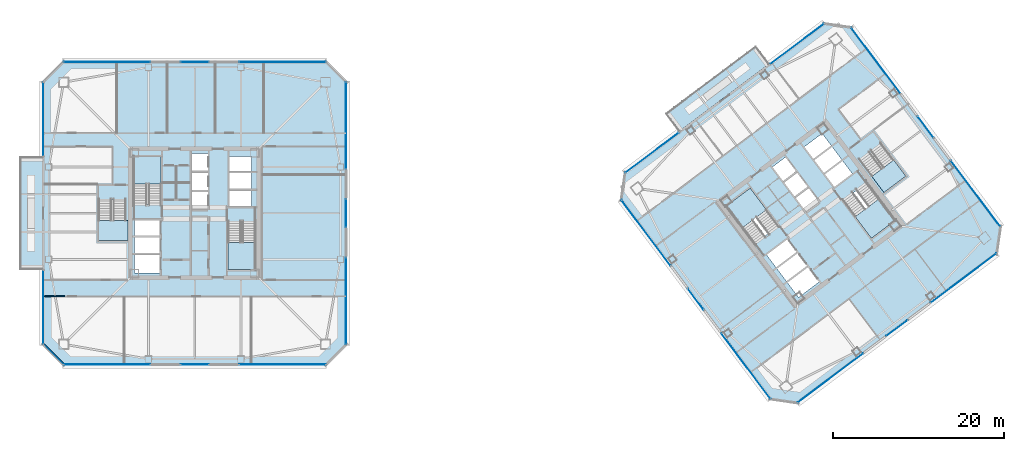
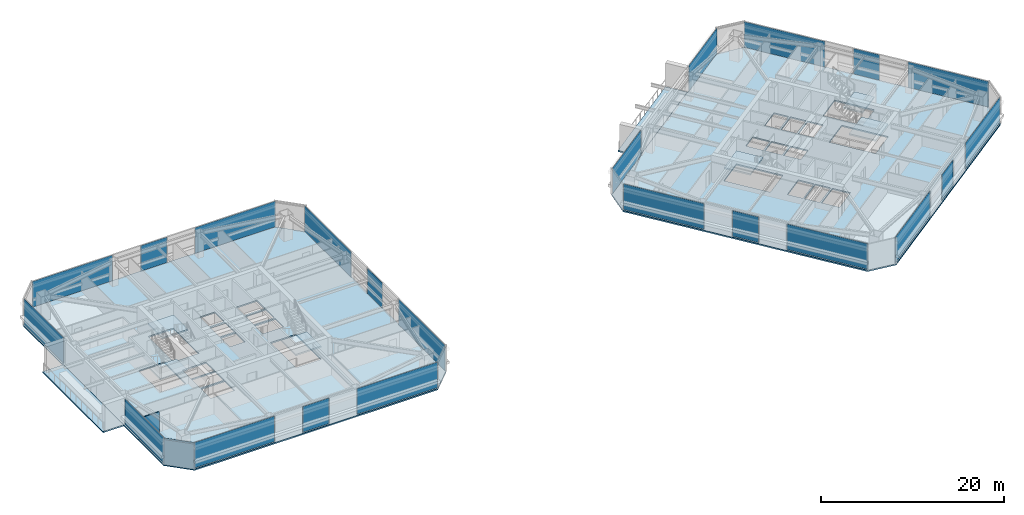
# One storey, part 31 of 43: 22 plates, 10 slabs, 2 walls, 28 elements without a shape of their own.
"""IFC4 building model written with IfcOpenShell, lengths in metres."""

from ifc_helpers import new_model, si_unit, direction, frame, frame_2d, origin, origin_2d, place, context, subcontext, project, spatial, polyline, rectangle, outline, extrude, material, layer, layer_set, type_object, element, aggregate, save


model = new_model("IFC4")

# Units and contexts
model_context = context("Model", 3, precision=1e-05, world=origin(), true_north=direction((0.0, 1.0)))
body_context = subcontext(model_context, "Body", "Model", "MODEL_VIEW")
ifc_project = project(units=[si_unit("LENGTHUNIT", "METRE"), si_unit("AREAUNIT", "SQUARE_METRE"), si_unit("VOLUMEUNIT", "CUBIC_METRE"), si_unit("PLANEANGLEUNIT", "RADIAN"), si_unit("MASSUNIT", "GRAM", prefix="KILO")], contexts=[model_context])

# Site, building, storey
site_placement = place(None, origin())
site = spatial("IfcSite", under=ifc_project, at=site_placement, CompositionType="ELEMENT")
building_placement = place(site_placement, origin())
building = spatial("IfcBuilding", under=site, at=building_placement, Name="Tashvorn Skyway Center", CompositionType="ELEMENT")
storey_placement = place(building_placement, frame((0.0, 0.0, 188.949951171875)))
storey = spatial("IfcBuildingStorey", under=building, at=storey_placement, Name="L51", CompositionType="ELEMENT", Elevation=188.949951171875)

# Curtain wall, plate
ifc_material_1 = material(Name="Thermally broken bronze-anodized aluminium 6063-T6", Category="aluminium")
curtain_wall_type = type_object("IfcCurtainWallType", Name="CW-CW-Z4", PredefinedType="NOTDEFINED", material=ifc_material_1)
curtain_wall_1_placement = place(storey_placement, origin())
curtain_wall_1 = element("IfcCurtainWall", 1, at=curtain_wall_1_placement, inside=storey, type_object=curtain_wall_type, Name="Tower 1 L51 South Unitised Curtain Wall Glazing Group 1", PredefinedType="NOTDEFINED")
ifc_material_2 = material(Name="Low-E solar-control double insulating safety glass", Category="glass")
ifc_layer_1 = layer(ifc_material_2, 0.035888671875)
ifc_layer_set_1 = layer_set([ifc_layer_1], Name="Low-E solar-control double insulating safety glass")
plate_type = type_object("IfcPlateType", Name="CWP-CW-Z4", PredefinedType="CURTAIN_PANEL", material=ifc_layer_set_1)
plate_1_placement = place(storey_placement, frame((52.25341796875, 14.320068359375, 0.0703125), z_axis=(0.0, 0.0, 1.0), x_axis=(-1.0, 0.0, 0.0)))
plate_1 = element("IfcPlate", 2, at=plate_1_placement, type_object=plate_type, Name="CW-Z4 panel 1.1", PredefinedType="CURTAIN_PANEL", context=body_context, shape_type="SweptSolid", body=[
    extrude(rectangle(XDim=10.11328125, YDim=0.035888671875, at=origin_2d()), origin(), (0.0, 0.0, 1.0), 3.409912109375),
])
aggregate(curtain_wall_1, [plate_1])

curtain_wall_2_placement = place(storey_placement, origin())
curtain_wall_2 = element("IfcCurtainWall", 3, at=curtain_wall_2_placement, inside=storey, type_object=curtain_wall_type, Name="Tower 1 L51 South Unitised Curtain Wall Glazing Group 2", PredefinedType="NOTDEFINED")
plate_2_placement = place(storey_placement, frame((42.0, 14.320068359375, 0.0703125), z_axis=(0.0, 0.0, 1.0), x_axis=(-1.0, 0.0, 0.0)))
plate_2 = element("IfcPlate", 4, at=plate_2_placement, type_object=plate_type, Name="CW-Z4 panel 1.1", PredefinedType="CURTAIN_PANEL", context=body_context, shape_type="SweptSolid", body=[
    extrude(rectangle(XDim=3.27783203125, YDim=0.035888671875, at=origin_2d()), origin(), (0.0, 0.0, 1.0), 3.409912109375),
])
aggregate(curtain_wall_2, [plate_2])

curtain_wall_3_placement = place(storey_placement, origin())
curtain_wall_3 = element("IfcCurtainWall", 5, at=curtain_wall_3_placement, inside=storey, type_object=curtain_wall_type, Name="Tower 1 L51 South Unitised Curtain Wall Glazing Group 3", PredefinedType="NOTDEFINED")
plate_3_placement = place(storey_placement, frame((31.74658203125, 14.320068359375, 0.0703125), z_axis=(0.0, 0.0, 1.0), x_axis=(-1.0, 0.0, 0.0)))
plate_3 = element("IfcPlate", 6, at=plate_3_placement, type_object=plate_type, Name="CW-Z4 panel 1.1", PredefinedType="CURTAIN_PANEL", context=body_context, shape_type="SweptSolid", body=[
    extrude(rectangle(XDim=10.11328125, YDim=0.035888671875, at=origin_2d()), origin(), (0.0, 0.0, 1.0), 3.409912109375),
])
aggregate(curtain_wall_3, [plate_3])

curtain_wall_4_placement = place(storey_placement, origin())
curtain_wall_4 = element("IfcCurtainWall", 7, at=curtain_wall_4_placement, inside=storey, type_object=curtain_wall_type, Name="Tower 1 L51 West Curtain Wall L", PredefinedType="NOTDEFINED")
plate_4_placement = place(storey_placement, frame((24.320068359375, 21.010009765625, 0.0703125), z_axis=(0.0, 0.0, 1.0), x_axis=(0.0, 1.0, 0.0)))
plate_4 = element("IfcPlate", 8, at=plate_4_placement, type_object=plate_type, Name="CW-Z4 panel 1.1", PredefinedType="CURTAIN_PANEL", context=body_context, shape_type="SweptSolid", body=[
    extrude(rectangle(XDim=8.639892578125, YDim=0.035888671875, at=origin_2d()), origin(), (0.0, 0.0, 1.0), 3.409912109375),
])
aggregate(curtain_wall_4, [plate_4])

curtain_wall_5_placement = place(storey_placement, origin())
curtain_wall_5 = element("IfcCurtainWall", 9, at=curtain_wall_5_placement, inside=storey, type_object=curtain_wall_type, Name="Tower 1 L51 West Curtain Wall R", PredefinedType="NOTDEFINED")
plate_5_placement = place(storey_placement, frame((24.320068359375, 42.989990234375, 0.0703125), z_axis=(0.0, 0.0, 1.0), x_axis=(0.0, 1.0, 0.0)))
plate_5 = element("IfcPlate", 10, at=plate_5_placement, type_object=plate_type, Name="CW-Z4 panel 1.1", PredefinedType="CURTAIN_PANEL", context=body_context, shape_type="SweptSolid", body=[
    extrude(rectangle(XDim=8.639892578125, YDim=0.035888671875, at=origin_2d()), origin(), (0.0, 0.0, 1.0), 3.409912109375),
])
aggregate(curtain_wall_5, [plate_5])

curtain_wall_6_placement = place(storey_placement, origin())
curtain_wall_6 = element("IfcCurtainWall", 11, at=curtain_wall_6_placement, inside=storey, type_object=curtain_wall_type, Name="Tower 1 L51 North Unitised Curtain Wall Glazing Group 1", PredefinedType="NOTDEFINED")
plate_6_placement = place(storey_placement, frame((31.74658203125, 49.679931640625, 0.0703125), z_axis=(0.0, 0.0, 1.0), x_axis=(1.0, 0.0, 0.0)))
plate_6 = element("IfcPlate", 12, at=plate_6_placement, type_object=plate_type, Name="CW-Z4 panel 1.1", PredefinedType="CURTAIN_PANEL", context=body_context, shape_type="SweptSolid", body=[
    extrude(rectangle(XDim=10.11328125, YDim=0.035888671875, at=origin_2d()), origin(), (0.0, 0.0, 1.0), 3.409912109375),
])
aggregate(curtain_wall_6, [plate_6])

curtain_wall_7_placement = place(storey_placement, origin())
curtain_wall_7 = element("IfcCurtainWall", 13, at=curtain_wall_7_placement, inside=storey, type_object=curtain_wall_type, Name="Tower 1 L51 North Unitised Curtain Wall Glazing Group 2", PredefinedType="NOTDEFINED")
plate_7_placement = place(storey_placement, frame((42.0, 49.679931640625, 0.0703125), z_axis=(0.0, 0.0, 1.0), x_axis=(1.0, 0.0, 0.0)))
plate_7 = element("IfcPlate", 14, at=plate_7_placement, type_object=plate_type, Name="CW-Z4 panel 1.1", PredefinedType="CURTAIN_PANEL", context=body_context, shape_type="SweptSolid", body=[
    extrude(rectangle(XDim=3.27783203125, YDim=0.035888671875, at=origin_2d()), origin(), (0.0, 0.0, 1.0), 3.409912109375),
])
aggregate(curtain_wall_7, [plate_7])

curtain_wall_8_placement = place(storey_placement, origin())
curtain_wall_8 = element("IfcCurtainWall", 15, at=curtain_wall_8_placement, inside=storey, type_object=curtain_wall_type, Name="Tower 1 L51 North Unitised Curtain Wall Glazing Group 3", PredefinedType="NOTDEFINED")
plate_8_placement = place(storey_placement, frame((52.25341796875, 49.679931640625, 0.0703125), z_axis=(0.0, 0.0, 1.0), x_axis=(1.0, 0.0, 0.0)))
plate_8 = element("IfcPlate", 16, at=plate_8_placement, type_object=plate_type, Name="CW-Z4 panel 1.1", PredefinedType="CURTAIN_PANEL", context=body_context, shape_type="SweptSolid", body=[
    extrude(rectangle(XDim=10.11328125, YDim=0.035888671875, at=origin_2d()), origin(), (0.0, 0.0, 1.0), 3.409912109375),
])
aggregate(curtain_wall_8, [plate_8])

curtain_wall_9_placement = place(storey_placement, origin())
curtain_wall_9 = element("IfcCurtainWall", 17, at=curtain_wall_9_placement, inside=storey, type_object=curtain_wall_type, Name="Tower 1 L51 East Unitised Curtain Wall Glazing Group 1", PredefinedType="NOTDEFINED")
plate_9_placement = place(storey_placement, frame((59.679931640625, 42.25341796875, 0.0703125), z_axis=(0.0, 0.0, 1.0), x_axis=(0.0, -1.0, 0.0)))
plate_9 = element("IfcPlate", 18, at=plate_9_placement, type_object=plate_type, Name="CW-Z4 panel 1.1", PredefinedType="CURTAIN_PANEL", context=body_context, shape_type="SweptSolid", body=[
    extrude(rectangle(XDim=10.11328125, YDim=0.035888671875, at=origin_2d()), origin(), (0.0, 0.0, 1.0), 3.409912109375),
])
aggregate(curtain_wall_9, [plate_9])

curtain_wall_10_placement = place(storey_placement, origin())
curtain_wall_10 = element("IfcCurtainWall", 19, at=curtain_wall_10_placement, inside=storey, type_object=curtain_wall_type, Name="Tower 1 L51 East Unitised Curtain Wall Glazing Group 2", PredefinedType="NOTDEFINED")
plate_10_placement = place(storey_placement, frame((59.679931640625, 32.0, 0.0703125), z_axis=(0.0, 0.0, 1.0), x_axis=(0.0, -1.0, 0.0)))
plate_10 = element("IfcPlate", 20, at=plate_10_placement, type_object=plate_type, Name="CW-Z4 panel 1.1", PredefinedType="CURTAIN_PANEL", context=body_context, shape_type="SweptSolid", body=[
    extrude(rectangle(XDim=3.27783203125, YDim=0.035888671875, at=origin_2d()), origin(), (0.0, 0.0, 1.0), 3.409912109375),
])
aggregate(curtain_wall_10, [plate_10])

curtain_wall_11_placement = place(storey_placement, origin())
curtain_wall_11 = element("IfcCurtainWall", 21, at=curtain_wall_11_placement, inside=storey, type_object=curtain_wall_type, Name="Tower 1 L51 East Unitised Curtain Wall Glazing Group 3", PredefinedType="NOTDEFINED")
plate_11_placement = place(storey_placement, frame((59.679931640625, 21.74658203125, 0.0703125), z_axis=(0.0, 0.0, 1.0), x_axis=(0.0, -1.0, 0.0)))
plate_11 = element("IfcPlate", 22, at=plate_11_placement, type_object=plate_type, Name="CW-Z4 panel 1.1", PredefinedType="CURTAIN_PANEL", context=body_context, shape_type="SweptSolid", body=[
    extrude(rectangle(XDim=10.11328125, YDim=0.035888671875, at=origin_2d()), origin(), (0.0, 0.0, 1.0), 3.409912109375),
])
aggregate(curtain_wall_11, [plate_11])

curtain_wall_12_placement = place(storey_placement, origin())
curtain_wall_12 = element("IfcCurtainWall", 23, at=curtain_wall_12_placement, inside=storey, type_object=curtain_wall_type, Name="Tower 2 L51 South Unitised Curtain Wall Glazing Group 1", PredefinedType="NOTDEFINED")
plate_12_placement = place(storey_placement, frame((131.843994140625, 24.407958984375, 0.0703125), z_axis=(0.0, 0.0, 1.0), x_axis=(-0.799999999998, -0.600000000002, 0.0)))
plate_12 = element("IfcPlate", 24, at=plate_12_placement, type_object=plate_type, Name="CW-Z4 panel 1.1", PredefinedType="CURTAIN_PANEL", context=body_context, shape_type="SweptSolid", body=[
    extrude(rectangle(XDim=9.580078125, YDim=0.035888671875, at=origin_2d()), origin(), (0.0, 0.0, 1.0), 3.409912109375),
])
aggregate(curtain_wall_12, [plate_12])

curtain_wall_13_placement = place(storey_placement, origin())
curtain_wall_13 = element("IfcCurtainWall", 25, at=curtain_wall_13_placement, inside=storey, type_object=curtain_wall_type, Name="Tower 2 L51 South Unitised Curtain Wall Glazing Group 2", PredefinedType="NOTDEFINED")
plate_13_placement = place(storey_placement, frame((124.068115234375, 18.575927734375, 0.0703125), z_axis=(0.0, 0.0, 1.0), x_axis=(-0.799999999998, -0.600000000002, 0.0)))
plate_13 = element("IfcPlate", 26, at=plate_13_placement, type_object=plate_type, Name="CW-Z4 panel 1.1", PredefinedType="CURTAIN_PANEL", context=body_context, shape_type="SweptSolid", body=[
    extrude(rectangle(XDim=3.10009765625, YDim=0.035888671875, at=origin_2d()), origin(), (0.0, 0.0, 1.0), 3.409912109375),
])
aggregate(curtain_wall_13, [plate_13])

curtain_wall_14_placement = place(storey_placement, origin())
curtain_wall_14 = element("IfcCurtainWall", 27, at=curtain_wall_14_placement, inside=storey, type_object=curtain_wall_type, Name="Tower 2 L51 South Unitised Curtain Wall Glazing Group 3", PredefinedType="NOTDEFINED")
plate_14_placement = place(storey_placement, frame((116.2919921875, 12.743896484375, 0.0703125), z_axis=(0.0, 0.0, 1.0), x_axis=(-0.799999999998, -0.600000000002, 0.0)))
plate_14 = element("IfcPlate", 28, at=plate_14_placement, type_object=plate_type, Name="CW-Z4 panel 1.1", PredefinedType="CURTAIN_PANEL", context=body_context, shape_type="SweptSolid", body=[
    extrude(rectangle(XDim=9.580078125, YDim=0.035888671875, at=origin_2d()), origin(), (0.0, 0.0, 1.0), 3.409912109375),
])
aggregate(curtain_wall_14, [plate_14])

curtain_wall_15_placement = place(storey_placement, origin())
curtain_wall_15 = element("IfcCurtainWall", 29, at=curtain_wall_15_placement, inside=storey, type_object=curtain_wall_type, Name="Tower 2 L51 West Unitised Curtain Wall Glazing Group 1", PredefinedType="NOTDEFINED")
plate_15_placement = place(storey_placement, frame((106.407958984375, 14.156005859375, 0.0703125), z_axis=(0.0, 0.0, 1.0), x_axis=(-0.600000000002, 0.799999999998, 0.0)))
plate_15 = element("IfcPlate", 30, at=plate_15_placement, type_object=plate_type, Name="CW-Z4 panel 1.1", PredefinedType="CURTAIN_PANEL", context=body_context, shape_type="SweptSolid", body=[
    extrude(rectangle(XDim=9.580078125, YDim=0.035888671875, at=origin_2d()), origin(), (0.0, 0.0, 1.0), 3.409912109375),
])
aggregate(curtain_wall_15, [plate_15])

curtain_wall_16_placement = place(storey_placement, origin())
curtain_wall_16 = element("IfcCurtainWall", 31, at=curtain_wall_16_placement, inside=storey, type_object=curtain_wall_type, Name="Tower 2 L51 West Unitised Curtain Wall Glazing Group 2", PredefinedType="NOTDEFINED")
plate_16_placement = place(storey_placement, frame((100.575927734375, 21.931884765625, 0.0703125), z_axis=(0.0, 0.0, 1.0), x_axis=(-0.600000000002, 0.799999999998, 0.0)))
plate_16 = element("IfcPlate", 32, at=plate_16_placement, type_object=plate_type, Name="CW-Z4 panel 1.1", PredefinedType="CURTAIN_PANEL", context=body_context, shape_type="SweptSolid", body=[
    extrude(rectangle(XDim=3.10009765625, YDim=0.035888671875, at=origin_2d()), origin(), (0.0, 0.0, 1.0), 3.409912109375),
])
aggregate(curtain_wall_16, [plate_16])

curtain_wall_17_placement = place(storey_placement, origin())
curtain_wall_17 = element("IfcCurtainWall", 33, at=curtain_wall_17_placement, inside=storey, type_object=curtain_wall_type, Name="Tower 2 L51 West Unitised Curtain Wall Glazing Group 3", PredefinedType="NOTDEFINED")
plate_17_placement = place(storey_placement, frame((94.743896484375, 29.7080078125, 0.0703125), z_axis=(0.0, 0.0, 1.0), x_axis=(-0.600000000002, 0.799999999998, 0.0)))
plate_17 = element("IfcPlate", 34, at=plate_17_placement, type_object=plate_type, Name="CW-Z4 panel 1.1", PredefinedType="CURTAIN_PANEL", context=body_context, shape_type="SweptSolid", body=[
    extrude(rectangle(XDim=9.580078125, YDim=0.035888671875, at=origin_2d()), origin(), (0.0, 0.0, 1.0), 3.409912109375),
])
aggregate(curtain_wall_17, [plate_17])

curtain_wall_18_placement = place(storey_placement, origin())
curtain_wall_18 = element("IfcCurtainWall", 35, at=curtain_wall_18_placement, inside=storey, type_object=curtain_wall_type, Name="Tower 2 L51 North Curtain Wall L", PredefinedType="NOTDEFINED")
plate_18_placement = place(storey_placement, frame((95.4599609375, 39.070068359375, 0.0703125), z_axis=(0.0, 0.0, 1.0), x_axis=(0.799999999998, 0.600000000002, 0.0)))
plate_18 = element("IfcPlate", 36, at=plate_18_placement, type_object=plate_type, Name="CW-Z4 panel 1.1", PredefinedType="CURTAIN_PANEL", context=body_context, shape_type="SweptSolid", body=[
    extrude(rectangle(XDim=7.840087890625, YDim=0.035888671875, at=origin_2d()), origin(), (0.0, 0.0, 1.0), 3.409912109375),
])
aggregate(curtain_wall_18, [plate_18])

curtain_wall_19_placement = place(storey_placement, origin())
curtain_wall_19 = element("IfcCurtainWall", 37, at=curtain_wall_19_placement, inside=storey, type_object=curtain_wall_type, Name="Tower 2 L51 North Curtain Wall R", PredefinedType="NOTDEFINED")
plate_19_placement = place(storey_placement, frame((112.404052734375, 51.778076171875, 0.0703125), z_axis=(0.0, 0.0, 1.0), x_axis=(0.799999999998, 0.600000000002, 0.0)))
plate_19 = element("IfcPlate", 38, at=plate_19_placement, type_object=plate_type, Name="CW-Z4 panel 1.1", PredefinedType="CURTAIN_PANEL", context=body_context, shape_type="SweptSolid", body=[
    extrude(rectangle(XDim=7.840087890625, YDim=0.035888671875, at=origin_2d()), origin(), (0.0, 0.0, 1.0), 3.409912109375),
])
aggregate(curtain_wall_19, [plate_19])

curtain_wall_20_placement = place(storey_placement, origin())
curtain_wall_20 = element("IfcCurtainWall", 39, at=curtain_wall_20_placement, inside=storey, type_object=curtain_wall_type, Name="Tower 2 L51 East Unitised Curtain Wall Glazing Group 1", PredefinedType="NOTDEFINED")
plate_20_placement = place(storey_placement, frame((121.592041015625, 49.843994140625, 0.0703125), z_axis=(0.0, 0.0, 1.0), x_axis=(0.600000000002, -0.799999999998, 0.0)))
plate_20 = element("IfcPlate", 40, at=plate_20_placement, type_object=plate_type, Name="CW-Z4 panel 1.1", PredefinedType="CURTAIN_PANEL", context=body_context, shape_type="SweptSolid", body=[
    extrude(rectangle(XDim=9.580078125, YDim=0.035888671875, at=origin_2d()), origin(), (0.0, 0.0, 1.0), 3.409912109375),
])
aggregate(curtain_wall_20, [plate_20])

curtain_wall_21_placement = place(storey_placement, origin())
curtain_wall_21 = element("IfcCurtainWall", 41, at=curtain_wall_21_placement, inside=storey, type_object=curtain_wall_type, Name="Tower 2 L51 East Unitised Curtain Wall Glazing Group 2", PredefinedType="NOTDEFINED")
plate_21_placement = place(storey_placement, frame((127.424072265625, 42.068115234375, 0.0703125), z_axis=(0.0, 0.0, 1.0), x_axis=(0.600000000002, -0.799999999998, 0.0)))
plate_21 = element("IfcPlate", 42, at=plate_21_placement, type_object=plate_type, Name="CW-Z4 panel 1.1", PredefinedType="CURTAIN_PANEL", context=body_context, shape_type="SweptSolid", body=[
    extrude(rectangle(XDim=3.10009765625, YDim=0.035888671875, at=origin_2d()), origin(), (0.0, 0.0, 1.0), 3.409912109375),
])
aggregate(curtain_wall_21, [plate_21])

curtain_wall_22_placement = place(storey_placement, origin())
curtain_wall_22 = element("IfcCurtainWall", 43, at=curtain_wall_22_placement, inside=storey, type_object=curtain_wall_type, Name="Tower 2 L51 East Unitised Curtain Wall Glazing Group 3", PredefinedType="NOTDEFINED")
plate_22_placement = place(storey_placement, frame((133.256103515625, 34.2919921875, 0.0703125), z_axis=(0.0, 0.0, 1.0), x_axis=(0.600000000002, -0.799999999998, 0.0)))
plate_22 = element("IfcPlate", 44, at=plate_22_placement, type_object=plate_type, Name="CW-Z4 panel 1.1", PredefinedType="CURTAIN_PANEL", context=body_context, shape_type="SweptSolid", body=[
    extrude(rectangle(XDim=9.580078125, YDim=0.035888671875, at=origin_2d()), origin(), (0.0, 0.0, 1.0), 3.409912109375),
])
aggregate(curtain_wall_22, [plate_22])

# Slabs
ifc_material_3 = material(Name="Concrete C40/50", Category="concrete")
ifc_layer_2 = layer(ifc_material_3, 0.179931640625)
ifc_layer_set_2 = layer_set([ifc_layer_2], Name="Concrete C40/50")
slab_type_1 = type_object("IfcSlabType", Name="SLAB-FLR-180", PredefinedType="FLOOR", material=ifc_layer_set_2)
slab_1_placement = place(storey_placement, frame((0.0, 0.0, -0.179931640625)))
element("IfcSlab", 45, at=slab_1_placement, inside=storey, type_object=slab_type_1, Name="Tower 1 L51 Composite Floor Slab", PredefinedType="FLOOR", context=body_context, shape_type="SweptSolid", body=[
    extrude(outline(polyline([(26.699951171875, 14.199951171875), (57.300048828125, 14.199951171875), (59.800048828125, 16.699951171875), (59.800048828125, 47.300048828125), (57.300048828125, 49.800048828125), (26.699951171875, 49.800048828125), (24.199951171875, 47.300048828125), (24.199951171875, 16.699951171875), (26.699951171875, 14.199951171875)]), holes=[polyline([(38.10009765625, 33.080078125), (38.10009765625, 38.60009765625), (34.89990234375, 38.60009765625), (34.89990234375, 33.080078125), (38.10009765625, 33.080078125)]), polyline([(45.89990234375, 30.919921875), (45.89990234375, 25.39990234375), (49.10009765625, 25.39990234375), (49.10009765625, 30.919921875), (45.89990234375, 30.919921875)]), polyline([(30.800048828125, 33.52001953125), (30.800048828125, 28.800048828125), (34.0, 28.800048828125), (34.0, 33.52001953125), (30.800048828125, 33.52001953125)]), polyline([(34.949951171875, 29.35009765625), (37.949951171875, 29.35009765625), (37.949951171875, 31.199951171875), (34.949951171875, 31.199951171875), (34.949951171875, 29.35009765625)]), polyline([(34.949951171875, 27.35009765625), (37.949951171875, 27.35009765625), (37.949951171875, 29.199951171875), (34.949951171875, 29.199951171875), (34.949951171875, 27.35009765625)]), polyline([(34.949951171875, 25.0), (37.949951171875, 25.0), (37.949951171875, 27.14990234375), (34.949951171875, 27.14990234375), (34.949951171875, 25.0)]), polyline([(41.64990234375, 32.449951171875), (43.550048828125, 32.449951171875), (43.550048828125, 34.5), (41.64990234375, 34.5), (41.64990234375, 32.449951171875)]), polyline([(41.64990234375, 34.699951171875), (43.550048828125, 34.699951171875), (43.550048828125, 36.75), (41.64990234375, 36.75), (41.64990234375, 34.699951171875)]), polyline([(41.64990234375, 36.949951171875), (43.550048828125, 36.949951171875), (43.550048828125, 39.0), (41.64990234375, 39.0), (41.64990234375, 36.949951171875)]), polyline([(46.050048828125, 32.800048828125), (48.64990234375, 32.800048828125), (48.64990234375, 34.64990234375), (46.050048828125, 34.64990234375), (46.050048828125, 32.800048828125)]), polyline([(46.050048828125, 34.85009765625), (48.64990234375, 34.85009765625), (48.64990234375, 36.699951171875), (46.050048828125, 36.699951171875), (46.050048828125, 34.85009765625)]), polyline([(46.050048828125, 36.89990234375), (48.64990234375, 36.89990234375), (48.64990234375, 38.64990234375), (46.050048828125, 38.64990234375), (46.050048828125, 36.89990234375)])]), origin(), (0.0, 0.0, 1.0), 0.179931640625),
])
slab_2_placement = place(storey_placement, frame((0.0, 0.0, -0.179931640625)))
element("IfcSlab", 46, at=slab_2_placement, inside=storey, type_object=slab_type_1, Name="Tower 2 L51 Composite Floor Slab", PredefinedType="FLOOR", context=body_context, shape_type="SweptSolid", body=[
    extrude(outline(polyline([(112.5400390625, 9.780029296875), (135.739990234375, 27.179931640625), (136.219970703125, 30.5400390625), (118.820068359375, 53.739990234375), (115.4599609375, 54.219970703125), (92.260009765625, 36.820068359375), (91.780029296875, 33.4599609375), (109.179931640625, 10.260009765625), (112.5400390625, 9.780029296875)]), holes=[polyline([(110.23193359375, 30.52392578125), (106.919921875, 34.93994140625), (104.135986328125, 32.85205078125), (107.447998046875, 28.43603515625), (110.23193359375, 30.52392578125)]), polyline([(117.76806640625, 33.47607421875), (121.080078125, 29.06005859375), (123.864013671875, 31.14794921875), (120.552001953125, 35.56396484375), (117.76806640625, 33.47607421875)]), polyline([(119.7119140625, 38.18408203125), (122.5439453125, 34.407958984375), (125.10400390625, 36.327880859375), (122.27197265625, 40.10400390625), (119.7119140625, 38.18408203125)]), polyline([(109.949951171875, 25.64990234375), (112.35009765625, 27.449951171875), (111.239990234375, 28.929931640625), (108.840087890625, 27.1298828125), (109.949951171875, 25.64990234375)]), polyline([(111.14990234375, 24.050048828125), (113.550048828125, 25.85009765625), (112.43994140625, 27.330078125), (110.0400390625, 25.530029296875), (111.14990234375, 24.050048828125)]), polyline([(112.56005859375, 22.169921875), (114.9599609375, 23.969970703125), (113.669921875, 25.68994140625), (111.27001953125, 23.889892578125), (112.56005859375, 22.169921875)]), polyline([(113.449951171875, 32.14990234375), (114.969970703125, 33.2900390625), (113.739990234375, 34.929931640625), (112.219970703125, 33.7900390625), (113.449951171875, 32.14990234375)]), polyline([(112.10009765625, 33.949951171875), (113.6201171875, 35.090087890625), (112.389892578125, 36.72998046875), (110.8701171875, 35.590087890625), (112.10009765625, 33.949951171875)]), polyline([(110.75, 35.75), (112.27001953125, 36.889892578125), (111.0400390625, 38.530029296875), (109.52001953125, 37.389892578125), (110.75, 35.75)]), polyline([(116.760009765625, 35.070068359375), (118.840087890625, 36.6298828125), (117.72998046875, 38.110107421875), (115.64990234375, 36.550048828125), (116.760009765625, 35.070068359375)]), polyline([(115.530029296875, 36.7099609375), (117.610107421875, 38.27001953125), (116.5, 39.75), (114.419921875, 38.18994140625), (115.530029296875, 36.7099609375)]), polyline([(114.300048828125, 38.35009765625), (116.3798828125, 39.909912109375), (115.330078125, 41.31005859375), (113.25, 39.75), (114.300048828125, 38.35009765625)])]), origin(), (0.0, 0.0, 1.0), 0.179931640625),
])

# Stair, slab
stair_type = type_object("IfcStairType", Name="STAIR-CORE-1500", PredefinedType="HALF_TURN_STAIR", material=ifc_material_3)
stair_1_placement = place(storey_placement, origin())
stair_1 = element("IfcStair", 47, at=stair_1_placement, inside=storey, type_object=stair_type, Name="L51 Tower 1 Exit Stair 1", PredefinedType="HALF_TURN_STAIR")
ifc_layer_3 = layer(ifc_material_3, 0.199951171875)
ifc_layer_set_3 = layer_set([ifc_layer_3], Name="Concrete C40/50")
slab_type_2 = type_object("IfcSlabType", Name="SLAB-LAND-200", PredefinedType="LANDING", material=ifc_layer_set_3)
slab_3_placement = place(storey_placement, frame((0.0, 0.0, 1.574951171875)))
slab_3 = element("IfcSlab", 48, at=slab_3_placement, type_object=slab_type_2, Name="ST-T1-1 landing 1", PredefinedType="LANDING", context=body_context, shape_type="SweptSolid", body=[
    extrude(outline(polyline([(38.10009765625, 35.43994140625), (38.10009765625, 38.60009765625), (34.89990234375, 38.60009765625), (34.89990234375, 35.43994140625), (38.10009765625, 35.43994140625)])), origin(), (0.0, 0.0, 1.0), 0.2001953125),
])
aggregate(stair_1, [slab_3])

stair_2_placement = place(storey_placement, origin())
stair_2 = element("IfcStair", 49, at=stair_2_placement, inside=storey, type_object=stair_type, Name="L51 Tower 1 Exit Stair 2", PredefinedType="HALF_TURN_STAIR")
slab_4_placement = place(storey_placement, frame((0.0, 0.0, 1.574951171875)))
slab_4 = element("IfcSlab", 50, at=slab_4_placement, type_object=slab_type_2, Name="ST-T1-2 landing 1", PredefinedType="LANDING", context=body_context, shape_type="SweptSolid", body=[
    extrude(outline(polyline([(45.89990234375, 28.56005859375), (45.89990234375, 25.39990234375), (49.10009765625, 25.39990234375), (49.10009765625, 28.56005859375), (45.89990234375, 28.56005859375)])), origin(), (0.0, 0.0, 1.0), 0.2001953125),
])
aggregate(stair_2, [slab_4])

stair_3_placement = place(storey_placement, origin())
stair_3 = element("IfcStair", 51, at=stair_3_placement, inside=storey, type_object=stair_type, Name="L51 Tower 2 Exit Stair 1", PredefinedType="HALF_TURN_STAIR")
slab_5_placement = place(storey_placement, frame((0.0, 0.0, 1.574951171875)))
slab_5 = element("IfcSlab", 52, at=slab_5_placement, type_object=slab_type_2, Name="ST-T2-1 landing 1", PredefinedType="LANDING", context=body_context, shape_type="SweptSolid", body=[
    extrude(outline(polyline([(108.82080078125, 32.405517578125), (106.919921875, 34.93994140625), (104.135986328125, 32.85205078125), (106.036865234375, 30.317626953125), (108.82080078125, 32.405517578125)])), origin(), (0.0, 0.0, 1.0), 0.2001953125),
])
aggregate(stair_3, [slab_5])

stair_4_placement = place(storey_placement, origin())
stair_4 = element("IfcStair", 53, at=stair_4_placement, inside=storey, type_object=stair_type, Name="L51 Tower 2 Exit Stair 2", PredefinedType="HALF_TURN_STAIR")
slab_6_placement = place(storey_placement, frame((0.0, 0.0, 1.574951171875)))
slab_6 = element("IfcSlab", 54, at=slab_6_placement, type_object=slab_type_2, Name="ST-T2-2 landing 1", PredefinedType="LANDING", context=body_context, shape_type="SweptSolid", body=[
    extrude(outline(polyline([(119.17919921875, 31.594482421875), (121.080078125, 29.06005859375), (123.864013671875, 31.14794921875), (121.963134765625, 33.682373046875), (119.17919921875, 31.594482421875)])), origin(), (0.0, 0.0, 1.0), 0.2001953125),
])
aggregate(stair_4, [slab_6])

stair_5_placement = place(storey_placement, origin())
stair_5 = element("IfcStair", 55, at=stair_5_placement, inside=storey, type_object=stair_type, Name="L51 Tower 1 Exit Stair 3", PredefinedType="HALF_TURN_STAIR")
slab_7_placement = place(storey_placement, frame((0.0, 0.0, 1.574951171875)))
slab_7 = element("IfcSlab", 56, at=slab_7_placement, type_object=slab_type_2, Name="ST-T1-3 landing 1", PredefinedType="LANDING", context=body_context, shape_type="SweptSolid", body=[
    extrude(outline(polyline([(30.800048828125, 31.159912109375), (30.800048828125, 28.800048828125), (34.199951171875, 28.800048828125), (34.199951171875, 31.159912109375), (30.800048828125, 31.159912109375)])), origin(), (0.0, 0.0, 1.0), 0.2001953125),
])
aggregate(stair_5, [slab_7])

stair_6_placement = place(storey_placement, origin())
stair_6 = element("IfcStair", 57, at=stair_6_placement, inside=storey, type_object=stair_type, Name="L51 Tower 2 Exit Stair 3", PredefinedType="HALF_TURN_STAIR")
slab_8_placement = place(storey_placement, frame((0.0, 0.0, 1.574951171875)))
slab_8 = element("IfcSlab", 58, at=slab_8_placement, type_object=slab_type_2, Name="ST-T2-3 landing 1", PredefinedType="LANDING", context=body_context, shape_type="SweptSolid", body=[
    extrude(outline(polyline([(121.123291015625, 36.302490234375), (122.5439453125, 34.407958984375), (125.10400390625, 36.327880859375), (123.68310546875, 38.222412109375), (121.123291015625, 36.302490234375)])), origin(), (0.0, 0.0, 1.0), 0.2001953125),
])
aggregate(stair_6, [slab_8])

# Slabs
ifc_layer_4 = layer(ifc_material_3, 0.179931640625)
ifc_layer_set_4 = layer_set([ifc_layer_4], Name="Concrete C40/50")
slab_type_3 = type_object("IfcSlabType", Name="SLAB-TERR-200", PredefinedType="FLOOR", material=ifc_layer_set_4)
slab_9_placement = place(storey_placement, frame((0.0, 0.0, -0.179931640625)))
element("IfcSlab", 59, at=slab_9_placement, inside=storey, type_object=slab_type_3, Name="Tower 1 L51 Sky Garden Slab", PredefinedType="FLOOR", context=body_context, shape_type="SweptSolid", body=[
    extrude(outline(polyline([(21.60009765625, 25.39990234375), (24.2099609375, 25.39990234375), (24.2099609375, 38.60009765625), (21.60009765625, 38.60009765625), (21.60009765625, 25.39990234375)])), origin(), (0.0, 0.0, 1.0), 0.179931640625),
])
slab_10_placement = place(storey_placement, frame((0.0, 0.0, -0.179931640625)))
element("IfcSlab", 60, at=slab_10_placement, inside=storey, type_object=slab_type_3, Name="Tower 2 L51 Sky Garden Slab", PredefinedType="FLOOR", context=body_context, shape_type="SweptSolid", body=[
    extrude(outline(polyline([(98.5859375, 41.552001953125), (109.14599609375, 49.471923828125), (107.580078125, 51.56005859375), (97.02001953125, 43.639892578125), (98.5859375, 41.552001953125)])), origin(), (0.0, 0.0, 1.0), 0.179931640625),
])

# Walls
ifc_material_4 = material(Name="Precast concrete C40/50", Category="concrete")
ifc_layer_5 = layer(ifc_material_4, 0.280029296875)
ifc_layer_set_5 = layer_set([ifc_layer_5], Name="Precast concrete C40/50")
wall_type_1 = type_object("IfcWallType", Name="WALL-EXT-280", PredefinedType="SOLIDWALL", material=ifc_layer_set_5)
wall_1_placement = place(storey_placement, frame((26.699951171875, 14.300048828125, 0.0), z_axis=(0.0, 0.0, 1.0), x_axis=(-0.707106781187, 0.707106781187, 0.0)))
element("IfcWall", 61, at=wall_1_placement, inside=storey, type_object=wall_type_1, Name="Tower 1 L51 SW Precast Chamfer Wall", PredefinedType="SOLIDWALL", context=body_context, shape_type="SweptSolid", body=[
    extrude(rectangle(XDim=3.39404296875, YDim=0.280029296875, at=frame_2d((1.697021484375, 0.0))), origin(), (0.0, 0.0, 1.0), 3.3701171875),
])
ifc_material_5 = material(Name="Gypsum board on cold-formed steel stud framing", Category="steel")
ifc_layer_6 = layer(ifc_material_5, 0.135009765625)
ifc_layer_set_6 = layer_set([ifc_layer_6], Name="Gypsum board on cold-formed steel stud framing")
wall_type_2 = type_object("IfcWallType", Name="WALL-PART-135", PredefinedType="PARTITIONING", material=ifc_layer_set_6)
wall_2_placement = place(storey_placement, frame((24.320068359375, 22.280029296875, 0.0), z_axis=(0.0, 0.0, 1.0), x_axis=(1.0, 0.0, 0.0)))
element("IfcWall", 62, at=wall_2_placement, inside=storey, type_object=wall_type_2, Name="Tower 1 L51 South-West Suite North Wall", PredefinedType="PARTITIONING", context=body_context, shape_type="SweptSolid", body=[
    extrude(rectangle(XDim=2.530029296875, YDim=0.135009765625, at=frame_2d((1.26513671875, 0.0))), origin(), (0.0, 0.0, 1.0), 2.72314453125),
])

save(model, "model.ifc")
